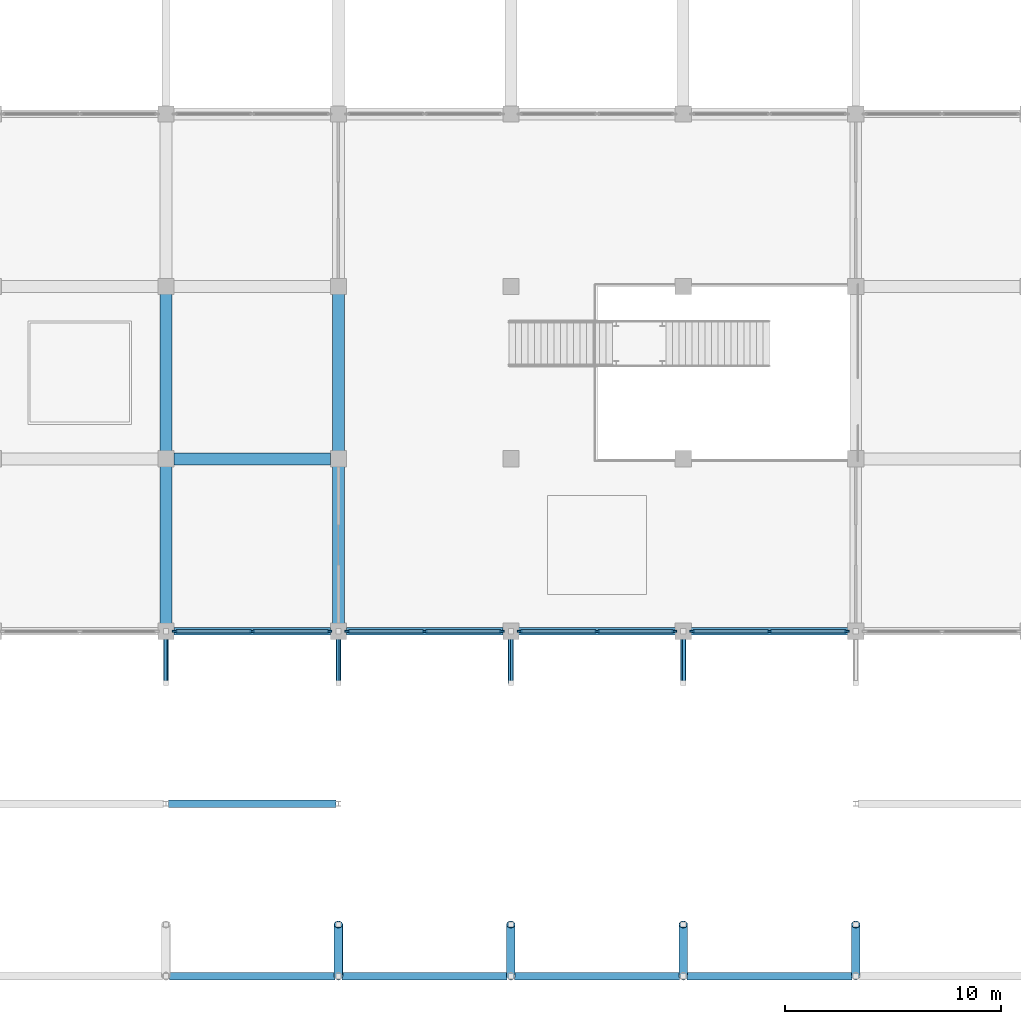
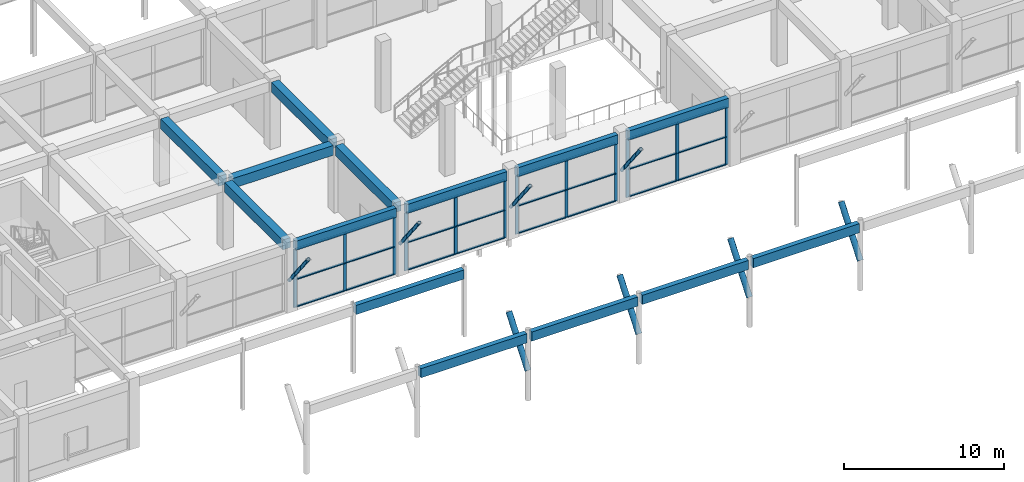
# One storey, part 13 of 69: 44 members, 14 beams, 4 elements without a shape of their own.
"""IFC4 building model written with IfcOpenShell, lengths in metres."""

from ifc_helpers import new_model, si_unit, direction, frame, origin, origin_2d, place, context, subcontext, project, spatial, rectangle, hollow_circle, extrude, material, material_profile, profile_set, type_object, element, aggregate, save


model = new_model("IFC4")

# Units and contexts
model_context = context("Model", 3, precision=1e-05, world=origin(), true_north=direction((0.0, 1.0)))
body_context = subcontext(model_context, "Body", "Model", "MODEL_VIEW")
ifc_project = project(units=[si_unit("LENGTHUNIT", "METRE"), si_unit("AREAUNIT", "SQUARE_METRE"), si_unit("VOLUMEUNIT", "CUBIC_METRE"), si_unit("PLANEANGLEUNIT", "RADIAN"), si_unit("MASSUNIT", "GRAM", prefix="KILO")], contexts=[model_context])

# Site, building, storey
site_placement = place(None, origin())
site = spatial("IfcSite", under=ifc_project, at=site_placement, CompositionType="ELEMENT")
building_placement = place(site_placement, origin())
building = spatial("IfcBuilding", under=site, at=building_placement, Name="Kenh Van Central Station", CompositionType="ELEMENT")
storey_placement = place(building_placement, frame((0.0, 0.0, 5.39990234375)))
storey = spatial("IfcBuildingStorey", under=building, at=storey_placement, Name="L01", CompositionType="ELEMENT", Elevation=5.39990234375)

# Beams
ifc_material_1 = material(Name="Concrete C35/45", Category="concrete")
ifc_material_profile_1 = material_profile(ifc_material_1, rectangle(XDim=0.550048828125, YDim=0.75, at=origin_2d()), Name="RC 550x750")
ifc_profile_set_1 = profile_set([ifc_material_profile_1], Name="Concrete C35/45")
beam_type_1 = type_object("IfcBeamType", Name="BM-RC-550x750", PredefinedType="BEAM", material=ifc_profile_set_1)
for number, where, z_axis, x_axis, name in (
    (1, (64.364990234375, 24.0, 4.755126953125), (1.0, 0.0, 0.0), (0.0, 1.0, 0.0), "L01 beam 0662"),
    (2, (64.0, 16.364990234375, 4.755126953125), (0.0, 1.0, 0.0), (-1.0, 0.0, 0.0), "L01 beam 0809"),
    (3, (64.0, 24.364990234375, 4.755126953125), (0.0, 1.0, 0.0), (-1.0, 0.0, 0.0), "L01 beam 0810"),
    (4, (72.0, 16.364990234375, 4.755126953125), (0.0, 1.0, 0.0), (-1.0, 0.0, 0.0), "L01 beam 0815"),
    (5, (72.0, 24.364990234375, 4.755126953125), (0.0, 1.0, 0.0), (-1.0, 0.0, 0.0), "L01 beam 0816"),
):
    element("IfcBeam", number, at=place(storey_placement, frame(where, z_axis=z_axis, x_axis=x_axis)), inside=storey, type_object=beam_type_1, Name=name, PredefinedType="BEAM", context=body_context, shape_type="SweptSolid", body=[
        extrude(rectangle(XDim=0.550048828125, YDim=0.75, at=origin_2d()), origin(), (0.0, 0.0, 1.0), 7.27001953125),
    ])

# Curtain wall, members
ifc_material_2 = material(Name="Champagne anodised aluminium", Category="aluminium")
curtain_wall_type = type_object("IfcCurtainWallType", Name="CW-CONC-A", PredefinedType="NOTDEFINED", material=ifc_material_2)
curtain_wall_1_placement = place(storey_placement, origin())
curtain_wall_1 = element("IfcCurtainWall", 6, at=curtain_wall_1_placement, inside=storey, type_object=curtain_wall_type, Name="L01 curtain wall 105", PredefinedType="NOTDEFINED")
ifc_material_profile_2 = material_profile(ifc_material_2, rectangle(XDim=0.08203125, YDim=0.22509765625, at=origin_2d()), Name="AL 82x225")
ifc_profile_set_2 = profile_set([ifc_material_profile_2], Name="Champagne anodised aluminium")
member_type_1 = type_object("IfcMemberType", Name="CWM-70x180", PredefinedType="MULLION", material=ifc_profile_set_2)
member_1_placement = place(storey_placement, frame((64.416015625, 16.0, 0.0), z_axis=(0.0, 0.0, 1.0), x_axis=(0.0, 1.0, 0.0)))
member_1 = element("IfcMember", 7, at=member_1_placement, type_object=member_type_1, Name="CW-03 mullion 1", PredefinedType="MULLION", context=body_context, shape_type="SweptSolid", body=[
    extrude(rectangle(XDim=0.08203125, YDim=0.22509765625, at=origin_2d()), origin(), (0.0, 0.0, 1.0), 4.43017578125),
])
member_2_placement = place(storey_placement, frame((68.0, 16.0, 0.0), z_axis=(0.0, 0.0, 1.0), x_axis=(0.0, 1.0, 0.0)))
member_2 = element("IfcMember", 8, at=member_2_placement, type_object=member_type_1, Name="CW-03 mullion 2", PredefinedType="MULLION", context=body_context, shape_type="SweptSolid", body=[
    extrude(rectangle(XDim=0.08203125, YDim=0.22509765625, at=origin_2d()), origin(), (0.0, 0.0, 1.0), 4.43017578125),
])
member_3_placement = place(storey_placement, frame((71.583984375, 16.0, 0.0), z_axis=(0.0, 0.0, 1.0), x_axis=(0.0, 1.0, 0.0)))
member_3 = element("IfcMember", 9, at=member_3_placement, type_object=member_type_1, Name="CW-03 mullion 3", PredefinedType="MULLION", context=body_context, shape_type="SweptSolid", body=[
    extrude(rectangle(XDim=0.08203125, YDim=0.22509765625, at=origin_2d()), origin(), (0.0, 0.0, 1.0), 4.43017578125),
])

curtain_wall_2_placement = place(storey_placement, origin())
curtain_wall_2 = element("IfcCurtainWall", 10, at=curtain_wall_2_placement, inside=storey, type_object=curtain_wall_type, Name="L01 curtain wall 106", PredefinedType="NOTDEFINED")
member_4_placement = place(storey_placement, frame((72.416015625, 16.0, 0.0), z_axis=(0.0, 0.0, 1.0), x_axis=(0.0, 1.0, 0.0)))
member_4 = element("IfcMember", 11, at=member_4_placement, type_object=member_type_1, Name="CW-03 mullion 1", PredefinedType="MULLION", context=body_context, shape_type="SweptSolid", body=[
    extrude(rectangle(XDim=0.08203125, YDim=0.22509765625, at=origin_2d()), origin(), (0.0, 0.0, 1.0), 4.43017578125),
])
member_5_placement = place(storey_placement, frame((76.0, 16.0, 0.0), z_axis=(0.0, 0.0, 1.0), x_axis=(0.0, 1.0, 0.0)))
member_5 = element("IfcMember", 12, at=member_5_placement, type_object=member_type_1, Name="CW-03 mullion 2", PredefinedType="MULLION", context=body_context, shape_type="SweptSolid", body=[
    extrude(rectangle(XDim=0.08203125, YDim=0.22509765625, at=origin_2d()), origin(), (0.0, 0.0, 1.0), 4.43017578125),
])
member_6_placement = place(storey_placement, frame((79.583984375, 16.0, 0.0), z_axis=(0.0, 0.0, 1.0), x_axis=(0.0, 1.0, 0.0)))
member_6 = element("IfcMember", 13, at=member_6_placement, type_object=member_type_1, Name="CW-03 mullion 3", PredefinedType="MULLION", context=body_context, shape_type="SweptSolid", body=[
    extrude(rectangle(XDim=0.08203125, YDim=0.22509765625, at=origin_2d()), origin(), (0.0, 0.0, 1.0), 4.43017578125),
])

curtain_wall_3_placement = place(storey_placement, origin())
curtain_wall_3 = element("IfcCurtainWall", 14, at=curtain_wall_3_placement, inside=storey, type_object=curtain_wall_type, Name="L01 curtain wall 107", PredefinedType="NOTDEFINED")
member_7_placement = place(storey_placement, frame((80.416015625, 16.0, 0.0), z_axis=(0.0, 0.0, 1.0), x_axis=(0.0, 1.0, 0.0)))
member_7 = element("IfcMember", 15, at=member_7_placement, type_object=member_type_1, Name="CW-03 mullion 1", PredefinedType="MULLION", context=body_context, shape_type="SweptSolid", body=[
    extrude(rectangle(XDim=0.08203125, YDim=0.22509765625, at=origin_2d()), origin(), (0.0, 0.0, 1.0), 4.43017578125),
])
member_8_placement = place(storey_placement, frame((84.0, 16.0, 0.0), z_axis=(0.0, 0.0, 1.0), x_axis=(0.0, 1.0, 0.0)))
member_8 = element("IfcMember", 16, at=member_8_placement, type_object=member_type_1, Name="CW-03 mullion 2", PredefinedType="MULLION", context=body_context, shape_type="SweptSolid", body=[
    extrude(rectangle(XDim=0.08203125, YDim=0.22509765625, at=origin_2d()), origin(), (0.0, 0.0, 1.0), 4.43017578125),
])
member_9_placement = place(storey_placement, frame((87.583984375, 16.0, 0.0), z_axis=(0.0, 0.0, 1.0), x_axis=(0.0, 1.0, 0.0)))
member_9 = element("IfcMember", 17, at=member_9_placement, type_object=member_type_1, Name="CW-03 mullion 3", PredefinedType="MULLION", context=body_context, shape_type="SweptSolid", body=[
    extrude(rectangle(XDim=0.08203125, YDim=0.22509765625, at=origin_2d()), origin(), (0.0, 0.0, 1.0), 4.43017578125),
])

curtain_wall_4_placement = place(storey_placement, origin())
curtain_wall_4 = element("IfcCurtainWall", 18, at=curtain_wall_4_placement, inside=storey, type_object=curtain_wall_type, Name="L01 curtain wall 108", PredefinedType="NOTDEFINED")
member_10_placement = place(storey_placement, frame((88.416015625, 16.0, 0.0), z_axis=(0.0, 0.0, 1.0), x_axis=(0.0, 1.0, 0.0)))
member_10 = element("IfcMember", 19, at=member_10_placement, type_object=member_type_1, Name="CW-03 mullion 1", PredefinedType="MULLION", context=body_context, shape_type="SweptSolid", body=[
    extrude(rectangle(XDim=0.08203125, YDim=0.22509765625, at=origin_2d()), origin(), (0.0, 0.0, 1.0), 4.43017578125),
])
member_11_placement = place(storey_placement, frame((92.0, 16.0, 0.0), z_axis=(0.0, 0.0, 1.0), x_axis=(0.0, 1.0, 0.0)))
member_11 = element("IfcMember", 20, at=member_11_placement, type_object=member_type_1, Name="CW-03 mullion 2", PredefinedType="MULLION", context=body_context, shape_type="SweptSolid", body=[
    extrude(rectangle(XDim=0.08203125, YDim=0.22509765625, at=origin_2d()), origin(), (0.0, 0.0, 1.0), 4.43017578125),
])
member_12_placement = place(storey_placement, frame((95.583984375, 16.0, 0.0), z_axis=(0.0, 0.0, 1.0), x_axis=(0.0, 1.0, 0.0)))
member_12 = element("IfcMember", 21, at=member_12_placement, type_object=member_type_1, Name="CW-03 mullion 3", PredefinedType="MULLION", context=body_context, shape_type="SweptSolid", body=[
    extrude(rectangle(XDim=0.08203125, YDim=0.22509765625, at=origin_2d()), origin(), (0.0, 0.0, 1.0), 4.43017578125),
])

# Member
ifc_material_profile_3 = material_profile(ifc_material_2, rectangle(XDim=0.155029296875, YDim=0.072021484375, at=origin_2d()), Name="AL 155x72")
ifc_profile_set_3 = profile_set([ifc_material_profile_3], Name="Champagne anodised aluminium")
member_type_2 = type_object("IfcMemberType", Name="CWT-120x60", PredefinedType="USERDEFINED", material=ifc_profile_set_3)
member_13_placement = place(storey_placement, frame((64.45703125, 16.0, 0.0361328125), z_axis=(1.0, 0.0, 0.0), x_axis=(0.0, 1.0, 0.0)))
member_13 = element("IfcMember", 22, at=member_13_placement, type_object=member_type_2, Name="CW-03 transom 1.1", ObjectType="TRANSOM", PredefinedType="USERDEFINED", context=body_context, shape_type="SweptSolid", body=[
    extrude(rectangle(XDim=0.155029296875, YDim=0.072021484375, at=origin_2d()), origin(), (0.0, 0.0, 1.0), 3.501953125),
])

member_14_placement = place(storey_placement, frame((64.45703125, 16.0, 2.12646484375), z_axis=(1.0, 0.0, 0.0), x_axis=(0.0, 1.0, 0.0)))
member_14 = element("IfcMember", 23, at=member_14_placement, type_object=member_type_2, Name="CW-03 transom 1.2", ObjectType="TRANSOM", PredefinedType="USERDEFINED", context=body_context, shape_type="SweptSolid", body=[
    extrude(rectangle(XDim=0.155029296875, YDim=0.072021484375, at=origin_2d()), origin(), (0.0, 0.0, 1.0), 3.501953125),
])

member_15_placement = place(storey_placement, frame((64.45703125, 16.0, 4.39404296875), z_axis=(1.0, 0.0, 0.0), x_axis=(0.0, 1.0, 0.0)))
member_15 = element("IfcMember", 24, at=member_15_placement, type_object=member_type_2, Name="CW-03 transom 1.3", ObjectType="TRANSOM", PredefinedType="USERDEFINED", context=body_context, shape_type="SweptSolid", body=[
    extrude(rectangle(XDim=0.155029296875, YDim=0.072021484375, at=origin_2d()), origin(), (0.0, 0.0, 1.0), 3.501953125),
])

member_16_placement = place(storey_placement, frame((68.041015625, 16.0, 0.0361328125), z_axis=(1.0, 0.0, 0.0), x_axis=(0.0, 1.0, 0.0)))
member_16 = element("IfcMember", 25, at=member_16_placement, type_object=member_type_2, Name="CW-03 transom 2.1", ObjectType="TRANSOM", PredefinedType="USERDEFINED", context=body_context, shape_type="SweptSolid", body=[
    extrude(rectangle(XDim=0.155029296875, YDim=0.072021484375, at=origin_2d()), origin(), (0.0, 0.0, 1.0), 3.501953125),
])

member_17_placement = place(storey_placement, frame((68.041015625, 16.0, 2.12646484375), z_axis=(1.0, 0.0, 0.0), x_axis=(0.0, 1.0, 0.0)))
member_17 = element("IfcMember", 26, at=member_17_placement, type_object=member_type_2, Name="CW-03 transom 2.2", ObjectType="TRANSOM", PredefinedType="USERDEFINED", context=body_context, shape_type="SweptSolid", body=[
    extrude(rectangle(XDim=0.155029296875, YDim=0.072021484375, at=origin_2d()), origin(), (0.0, 0.0, 1.0), 3.501953125),
])

member_18_placement = place(storey_placement, frame((68.041015625, 16.0, 4.39404296875), z_axis=(1.0, 0.0, 0.0), x_axis=(0.0, 1.0, 0.0)))
member_18 = element("IfcMember", 27, at=member_18_placement, type_object=member_type_2, Name="CW-03 transom 2.3", ObjectType="TRANSOM", PredefinedType="USERDEFINED", context=body_context, shape_type="SweptSolid", body=[
    extrude(rectangle(XDim=0.155029296875, YDim=0.072021484375, at=origin_2d()), origin(), (0.0, 0.0, 1.0), 3.501953125),
])

aggregate(curtain_wall_1, [member_1, member_2, member_3, member_13, member_14, member_15, member_16, member_17, member_18])

member_19_placement = place(storey_placement, frame((72.45703125, 16.0, 0.0361328125), z_axis=(1.0, 0.0, 0.0), x_axis=(0.0, 1.0, 0.0)))
member_19 = element("IfcMember", 28, at=member_19_placement, type_object=member_type_2, Name="CW-03 transom 1.1", ObjectType="TRANSOM", PredefinedType="USERDEFINED", context=body_context, shape_type="SweptSolid", body=[
    extrude(rectangle(XDim=0.155029296875, YDim=0.072021484375, at=origin_2d()), origin(), (0.0, 0.0, 1.0), 3.501953125),
])

member_20_placement = place(storey_placement, frame((72.45703125, 16.0, 2.12646484375), z_axis=(1.0, 0.0, 0.0), x_axis=(0.0, 1.0, 0.0)))
member_20 = element("IfcMember", 29, at=member_20_placement, type_object=member_type_2, Name="CW-03 transom 1.2", ObjectType="TRANSOM", PredefinedType="USERDEFINED", context=body_context, shape_type="SweptSolid", body=[
    extrude(rectangle(XDim=0.155029296875, YDim=0.072021484375, at=origin_2d()), origin(), (0.0, 0.0, 1.0), 3.501953125),
])

member_21_placement = place(storey_placement, frame((72.45703125, 16.0, 4.39404296875), z_axis=(1.0, 0.0, 0.0), x_axis=(0.0, 1.0, 0.0)))
member_21 = element("IfcMember", 30, at=member_21_placement, type_object=member_type_2, Name="CW-03 transom 1.3", ObjectType="TRANSOM", PredefinedType="USERDEFINED", context=body_context, shape_type="SweptSolid", body=[
    extrude(rectangle(XDim=0.155029296875, YDim=0.072021484375, at=origin_2d()), origin(), (0.0, 0.0, 1.0), 3.501953125),
])

member_22_placement = place(storey_placement, frame((76.041015625, 16.0, 0.0361328125), z_axis=(1.0, 0.0, 0.0), x_axis=(0.0, 1.0, 0.0)))
member_22 = element("IfcMember", 31, at=member_22_placement, type_object=member_type_2, Name="CW-03 transom 2.1", ObjectType="TRANSOM", PredefinedType="USERDEFINED", context=body_context, shape_type="SweptSolid", body=[
    extrude(rectangle(XDim=0.155029296875, YDim=0.072021484375, at=origin_2d()), origin(), (0.0, 0.0, 1.0), 3.501953125),
])

member_23_placement = place(storey_placement, frame((76.041015625, 16.0, 2.12646484375), z_axis=(1.0, 0.0, 0.0), x_axis=(0.0, 1.0, 0.0)))
member_23 = element("IfcMember", 32, at=member_23_placement, type_object=member_type_2, Name="CW-03 transom 2.2", ObjectType="TRANSOM", PredefinedType="USERDEFINED", context=body_context, shape_type="SweptSolid", body=[
    extrude(rectangle(XDim=0.155029296875, YDim=0.072021484375, at=origin_2d()), origin(), (0.0, 0.0, 1.0), 3.501953125),
])

member_24_placement = place(storey_placement, frame((76.041015625, 16.0, 4.39404296875), z_axis=(1.0, 0.0, 0.0), x_axis=(0.0, 1.0, 0.0)))
member_24 = element("IfcMember", 33, at=member_24_placement, type_object=member_type_2, Name="CW-03 transom 2.3", ObjectType="TRANSOM", PredefinedType="USERDEFINED", context=body_context, shape_type="SweptSolid", body=[
    extrude(rectangle(XDim=0.155029296875, YDim=0.072021484375, at=origin_2d()), origin(), (0.0, 0.0, 1.0), 3.501953125),
])

aggregate(curtain_wall_2, [member_4, member_5, member_6, member_19, member_20, member_21, member_22, member_23, member_24])

member_25_placement = place(storey_placement, frame((80.45703125, 16.0, 0.0361328125), z_axis=(1.0, 0.0, 0.0), x_axis=(0.0, 1.0, 0.0)))
member_25 = element("IfcMember", 34, at=member_25_placement, type_object=member_type_2, Name="CW-03 transom 1.1", ObjectType="TRANSOM", PredefinedType="USERDEFINED", context=body_context, shape_type="SweptSolid", body=[
    extrude(rectangle(XDim=0.155029296875, YDim=0.072021484375, at=origin_2d()), origin(), (0.0, 0.0, 1.0), 3.501953125),
])

member_26_placement = place(storey_placement, frame((80.45703125, 16.0, 2.12646484375), z_axis=(1.0, 0.0, 0.0), x_axis=(0.0, 1.0, 0.0)))
member_26 = element("IfcMember", 35, at=member_26_placement, type_object=member_type_2, Name="CW-03 transom 1.2", ObjectType="TRANSOM", PredefinedType="USERDEFINED", context=body_context, shape_type="SweptSolid", body=[
    extrude(rectangle(XDim=0.155029296875, YDim=0.072021484375, at=origin_2d()), origin(), (0.0, 0.0, 1.0), 3.501953125),
])

member_27_placement = place(storey_placement, frame((80.45703125, 16.0, 4.39404296875), z_axis=(1.0, 0.0, 0.0), x_axis=(0.0, 1.0, 0.0)))
member_27 = element("IfcMember", 36, at=member_27_placement, type_object=member_type_2, Name="CW-03 transom 1.3", ObjectType="TRANSOM", PredefinedType="USERDEFINED", context=body_context, shape_type="SweptSolid", body=[
    extrude(rectangle(XDim=0.155029296875, YDim=0.072021484375, at=origin_2d()), origin(), (0.0, 0.0, 1.0), 3.501953125),
])

member_28_placement = place(storey_placement, frame((84.041015625, 16.0, 0.0361328125), z_axis=(1.0, 0.0, 0.0), x_axis=(0.0, 1.0, 0.0)))
member_28 = element("IfcMember", 37, at=member_28_placement, type_object=member_type_2, Name="CW-03 transom 2.1", ObjectType="TRANSOM", PredefinedType="USERDEFINED", context=body_context, shape_type="SweptSolid", body=[
    extrude(rectangle(XDim=0.155029296875, YDim=0.072021484375, at=origin_2d()), origin(), (0.0, 0.0, 1.0), 3.501953125),
])

member_29_placement = place(storey_placement, frame((84.041015625, 16.0, 2.12646484375), z_axis=(1.0, 0.0, 0.0), x_axis=(0.0, 1.0, 0.0)))
member_29 = element("IfcMember", 38, at=member_29_placement, type_object=member_type_2, Name="CW-03 transom 2.2", ObjectType="TRANSOM", PredefinedType="USERDEFINED", context=body_context, shape_type="SweptSolid", body=[
    extrude(rectangle(XDim=0.155029296875, YDim=0.072021484375, at=origin_2d()), origin(), (0.0, 0.0, 1.0), 3.501953125),
])

member_30_placement = place(storey_placement, frame((84.041015625, 16.0, 4.39404296875), z_axis=(1.0, 0.0, 0.0), x_axis=(0.0, 1.0, 0.0)))
member_30 = element("IfcMember", 39, at=member_30_placement, type_object=member_type_2, Name="CW-03 transom 2.3", ObjectType="TRANSOM", PredefinedType="USERDEFINED", context=body_context, shape_type="SweptSolid", body=[
    extrude(rectangle(XDim=0.155029296875, YDim=0.072021484375, at=origin_2d()), origin(), (0.0, 0.0, 1.0), 3.501953125),
])

aggregate(curtain_wall_3, [member_7, member_8, member_9, member_25, member_26, member_27, member_28, member_29, member_30])

member_31_placement = place(storey_placement, frame((88.45703125, 16.0, 0.0361328125), z_axis=(1.0, 0.0, 0.0), x_axis=(0.0, 1.0, 0.0)))
member_31 = element("IfcMember", 40, at=member_31_placement, type_object=member_type_2, Name="CW-03 transom 1.1", ObjectType="TRANSOM", PredefinedType="USERDEFINED", context=body_context, shape_type="SweptSolid", body=[
    extrude(rectangle(XDim=0.155029296875, YDim=0.072021484375, at=origin_2d()), origin(), (0.0, 0.0, 1.0), 3.501953125),
])

member_32_placement = place(storey_placement, frame((88.45703125, 16.0, 2.12646484375), z_axis=(1.0, 0.0, 0.0), x_axis=(0.0, 1.0, 0.0)))
member_32 = element("IfcMember", 41, at=member_32_placement, type_object=member_type_2, Name="CW-03 transom 1.2", ObjectType="TRANSOM", PredefinedType="USERDEFINED", context=body_context, shape_type="SweptSolid", body=[
    extrude(rectangle(XDim=0.155029296875, YDim=0.072021484375, at=origin_2d()), origin(), (0.0, 0.0, 1.0), 3.501953125),
])

member_33_placement = place(storey_placement, frame((88.45703125, 16.0, 4.39404296875), z_axis=(1.0, 0.0, 0.0), x_axis=(0.0, 1.0, 0.0)))
member_33 = element("IfcMember", 42, at=member_33_placement, type_object=member_type_2, Name="CW-03 transom 1.3", ObjectType="TRANSOM", PredefinedType="USERDEFINED", context=body_context, shape_type="SweptSolid", body=[
    extrude(rectangle(XDim=0.155029296875, YDim=0.072021484375, at=origin_2d()), origin(), (0.0, 0.0, 1.0), 3.501953125),
])

member_34_placement = place(storey_placement, frame((92.041015625, 16.0, 0.0361328125), z_axis=(1.0, 0.0, 0.0), x_axis=(0.0, 1.0, 0.0)))
member_34 = element("IfcMember", 43, at=member_34_placement, type_object=member_type_2, Name="CW-03 transom 2.1", ObjectType="TRANSOM", PredefinedType="USERDEFINED", context=body_context, shape_type="SweptSolid", body=[
    extrude(rectangle(XDim=0.155029296875, YDim=0.072021484375, at=origin_2d()), origin(), (0.0, 0.0, 1.0), 3.501953125),
])

member_35_placement = place(storey_placement, frame((92.041015625, 16.0, 2.12646484375), z_axis=(1.0, 0.0, 0.0), x_axis=(0.0, 1.0, 0.0)))
member_35 = element("IfcMember", 44, at=member_35_placement, type_object=member_type_2, Name="CW-03 transom 2.2", ObjectType="TRANSOM", PredefinedType="USERDEFINED", context=body_context, shape_type="SweptSolid", body=[
    extrude(rectangle(XDim=0.155029296875, YDim=0.072021484375, at=origin_2d()), origin(), (0.0, 0.0, 1.0), 3.501953125),
])

member_36_placement = place(storey_placement, frame((92.041015625, 16.0, 4.39404296875), z_axis=(1.0, 0.0, 0.0), x_axis=(0.0, 1.0, 0.0)))
member_36 = element("IfcMember", 45, at=member_36_placement, type_object=member_type_2, Name="CW-03 transom 2.3", ObjectType="TRANSOM", PredefinedType="USERDEFINED", context=body_context, shape_type="SweptSolid", body=[
    extrude(rectangle(XDim=0.155029296875, YDim=0.072021484375, at=origin_2d()), origin(), (0.0, 0.0, 1.0), 3.501953125),
])

aggregate(curtain_wall_4, [member_10, member_11, member_12, member_31, member_32, member_33, member_34, member_35, member_36])

# Members
ifc_material_3 = material(Name="White fluoropolymer structural steel S355", Category="steel")
ifc_material_profile_4 = material_profile(ifc_material_3, hollow_circle(Radius=0.122314453125, WallThickness=0.008056640625, at=origin_2d()), Name="CHS 244.5x8")
ifc_profile_set_4 = profile_set([ifc_material_profile_4], Name="White fluoropolymer structural steel S355")
member_type_3 = type_object("IfcMemberType", Name="MEM-STR-CHS245", PredefinedType="STRUT", material=ifc_profile_set_4)
for number, where, z_axis, x_axis, name in (
    (46, (64.0, 16.0, 2.2001953125), (0.0, -0.618399278254, 0.785864067543), (1.0, 0.0, 0.0), "Forecourt canopy raked strut 04"),
    (47, (72.0, 16.0, 2.2001953125), (0.0, -0.618399278254, 0.785864067543), (1.0, 0.0, 0.0), "Forecourt canopy raked strut 06"),
    (48, (80.0, 16.0, 2.2001953125), (0.0, -0.618399278254, 0.785864067543), (1.0, 0.0, 0.0), "Forecourt canopy raked strut 08"),
    (49, (88.0, 16.0, 2.2001953125), (0.0, -0.618399278254, 0.785864067543), (1.0, 0.0, 0.0), "Forecourt canopy raked strut 10"),
):
    element("IfcMember", number, at=place(storey_placement, frame(where, z_axis=z_axis, x_axis=x_axis)), inside=storey, type_object=member_type_3, Name=name, PredefinedType="STRUT", context=body_context, shape_type="SweptSolid", body=[
        extrude(hollow_circle(Radius=0.122314453125, WallThickness=0.008056640625, at=origin_2d()), origin(), (0.0, 0.0, 1.0), 3.880859375),
    ])
ifc_material_profile_5 = material_profile(ifc_material_3, hollow_circle(Radius=0.203125, WallThickness=0.012451171875, at=origin_2d()), Name="CHS 406.4x12.5")
ifc_profile_set_5 = profile_set([ifc_material_profile_5], Name="White fluoropolymer structural steel S355")
member_type_4 = type_object("IfcMemberType", Name="MEM-STR-CHS406", PredefinedType="STRUT", material=ifc_profile_set_5)
for number, where, z_axis, x_axis, name in (
    (50, (72.0, 0.0, 2.2001953125), (0.0, 0.618399278254, 0.785864067543), (-1.0, 0.0, 0.0), "Forecourt canopy raked strut 05"),
    (51, (80.0, 0.0, 2.2001953125), (0.0, 0.618399278254, 0.785864067543), (-1.0, 0.0, 0.0), "Forecourt canopy raked strut 07"),
    (52, (88.0, 0.0, 2.2001953125), (0.0, 0.618399278254, 0.785864067543), (-1.0, 0.0, 0.0), "Forecourt canopy raked strut 09"),
    (53, (96.0, 0.0, 2.2001953125), (0.0, 0.618399278254, 0.785864067543), (-1.0, 0.0, 0.0), "Forecourt canopy raked strut 11"),
):
    element("IfcMember", number, at=place(storey_placement, frame(where, z_axis=z_axis, x_axis=x_axis)), inside=storey, type_object=member_type_4, Name=name, PredefinedType="STRUT", context=body_context, shape_type="SweptSolid", body=[
        extrude(hollow_circle(Radius=0.203125, WallThickness=0.012451171875, at=origin_2d()), origin(), (0.0, 0.0, 1.0), 3.880859375),
    ])

# Beams
ifc_material_profile_6 = material_profile(ifc_material_1, rectangle(XDim=0.35009765625, YDim=0.699951171875, at=origin_2d()), Name="RC 350x700")
ifc_profile_set_6 = profile_set([ifc_material_profile_6], Name="Concrete C35/45")
beam_type_2 = type_object("IfcBeamType", Name="SPD-RC-350x700", PredefinedType="SPANDREL", material=ifc_profile_set_6)
for number, where, z_axis, x_axis, name in (
    (54, (64.167724609375, 0.0, 4.830078125), (1.0, 0.0, 0.0), (0.0, 1.0, 0.0), "L01 beam 0615"),
    (55, (72.167724609375, 0.0, 4.830078125), (1.0, 0.0, 0.0), (0.0, 1.0, 0.0), "L01 beam 0616"),
    (56, (80.167724609375, 0.0, 4.830078125), (1.0, 0.0, 0.0), (0.0, 1.0, 0.0), "L01 beam 0617"),
    (57, (88.167724609375, 0.0, 4.830078125), (1.0, 0.0, 0.0), (0.0, 1.0, 0.0), "L01 beam 0618"),
):
    element("IfcBeam", number, at=place(storey_placement, frame(where, z_axis=z_axis, x_axis=x_axis)), inside=storey, type_object=beam_type_2, Name=name, PredefinedType="SPANDREL", context=body_context, shape_type="SweptSolid", body=[
        extrude(rectangle(XDim=0.35009765625, YDim=0.699951171875, at=origin_2d()), origin(), (0.0, 0.0, 1.0), 7.66455078125),
    ])
beam_placement = place(storey_placement, frame((64.110107421875, 8.0, 4.830078125), z_axis=(1.0, 0.0, 0.0), x_axis=(0.0, 1.0, 0.0)))
element("IfcBeam", 58, at=beam_placement, inside=storey, type_object=beam_type_2, Name="L01 beam 0628", PredefinedType="SPANDREL", context=body_context, shape_type="SweptSolid", body=[
    extrude(rectangle(XDim=0.35009765625, YDim=0.699951171875, at=origin_2d()), origin(), (0.0, 0.0, 1.0), 7.77978515625),
])
for number, where, z_axis, x_axis, name in (
    (59, (64.364990234375, 16.0, 4.780029296875), (1.0, 0.0, 0.0), (0.0, 1.0, 0.0), "L01 beam 0643"),
    (60, (72.364990234375, 16.0, 4.780029296875), (1.0, 0.0, 0.0), (0.0, 1.0, 0.0), "L01 beam 0644"),
    (61, (80.364990234375, 16.0, 4.780029296875), (1.0, 0.0, 0.0), (0.0, 1.0, 0.0), "L01 beam 0645"),
    (62, (88.364990234375, 16.0, 4.780029296875), (1.0, 0.0, 0.0), (0.0, 1.0, 0.0), "L01 beam 0646"),
):
    element("IfcBeam", number, at=place(storey_placement, frame(where, z_axis=z_axis, x_axis=x_axis)), inside=storey, type_object=beam_type_2, Name=name, PredefinedType="SPANDREL", context=body_context, shape_type="SweptSolid", body=[
        extrude(rectangle(XDim=0.35009765625, YDim=0.699951171875, at=origin_2d()), origin(), (0.0, 0.0, 1.0), 7.27001953125),
    ])

save(model, "model.ifc")
